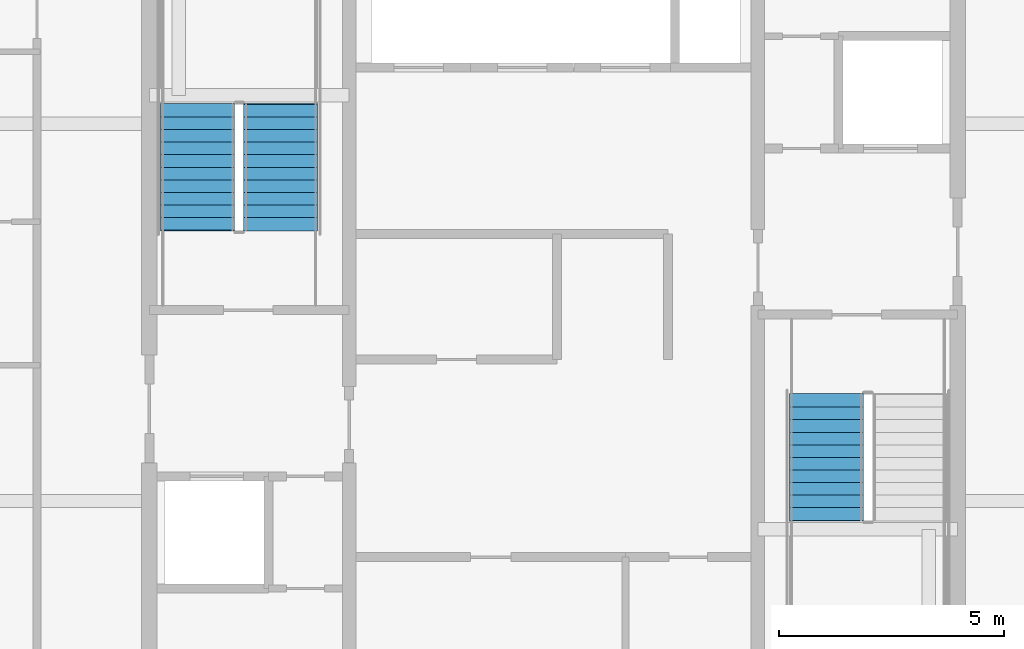
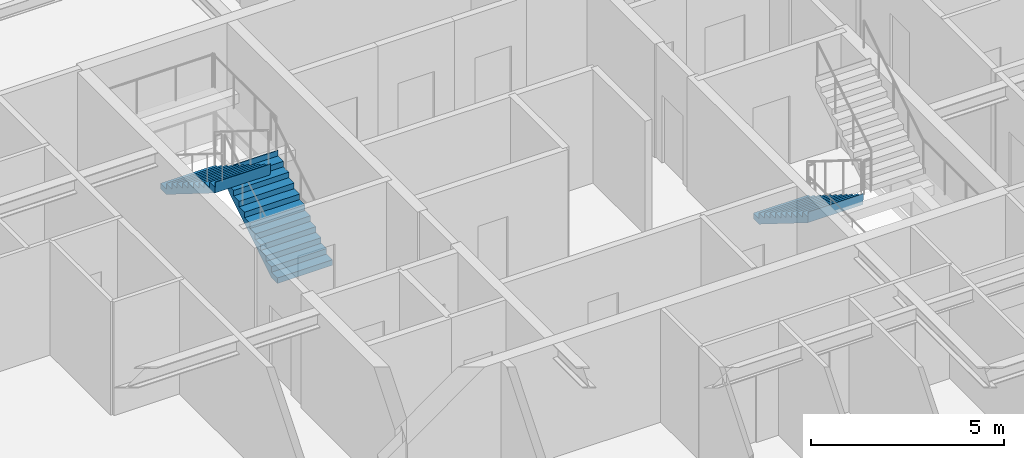
# One storey, part 33 of 40: 3 stair flights, 2 elements without a shape of their own.
"""IFC4 building model written with IfcOpenShell, lengths in metres."""

from ifc_helpers import new_model, si_unit, direction, frame, origin, place, context, subcontext, project, spatial, polygons, material, type_object, element, aggregate, save


model = new_model("IFC4")

# Units and contexts
model_context = context("Model", 3, precision=1e-05, world=origin(), true_north=direction((0.0, 1.0)))
body_context = subcontext(model_context, "Body", "Model", "MODEL_VIEW")
ifc_project = project(units=[si_unit("LENGTHUNIT", "METRE"), si_unit("AREAUNIT", "SQUARE_METRE"), si_unit("VOLUMEUNIT", "CUBIC_METRE"), si_unit("PLANEANGLEUNIT", "RADIAN"), si_unit("MASSUNIT", "GRAM", prefix="KILO")], contexts=[model_context])

# Site, building, storey
site_placement = place(None, origin())
site = spatial("IfcSite", under=ifc_project, at=site_placement, CompositionType="ELEMENT")
building_placement = place(site_placement, origin())
building = spatial("IfcBuilding", under=site, at=building_placement, Name="Serunith Strait Residences", CompositionType="ELEMENT")
storey_placement = place(building_placement, frame((0.0, 0.0, 252.800048828125)))
storey = spatial("IfcBuildingStorey", under=building, at=storey_placement, Name="L63", CompositionType="ELEMENT", Elevation=252.800048828125)

# Stair, stair flights
ifc_material = material(Name="Concrete C50/60", Category="concrete")
stair_type_1 = type_object("IfcStairType", Name="STR-CORE-1", PredefinedType="HALF_TURN_STAIR", material=ifc_material)
stair_1_placement = place(storey_placement, origin())
stair_1 = element("IfcStair", 1, at=stair_1_placement, inside=storey, type_object=stair_type_1, Name="L63 Protected Escape Stair ST-1", PredefinedType="HALF_TURN_STAIR")
stair_flight_type_1 = type_object("IfcStairFlightType", Name="FLT-CORE-1", PredefinedType="STRAIGHT", material=ifc_material)
stair_flight_1_placement = place(storey_placement, frame((26.324951171875, 27.030029296875, 0.0), z_axis=(0.0, 0.0, 1.0), x_axis=(0.0, 1.0, 0.0)))
stair_flight_1 = element("IfcStairFlight", 2, at=stair_flight_1_placement, type_object=stair_flight_type_1, Name="ST-1 flight 1", NumberOfRisers=11, NumberOfTreads=10, PredefinedType="STRAIGHT", RiserHeight=0.175, TreadLength=0.28, context=body_context, shape_type="Tessellation", body=[
    polygons([(-0.02001953125, -0.824951171875, 0.0), (-0.02001953125, -0.824951171875, 0.175048828125), (0.280029296875, -0.824951171875, 0.175048828125), (0.280029296875, -0.824951171875, 0.35009765625), (0.56005859375, -0.824951171875, 0.35009765625), (0.56005859375, -0.824951171875, 0.52490234375), (0.840087890625, -0.824951171875, 0.52490234375), (0.840087890625, -0.824951171875, 0.699951171875), (1.1201171875, -0.824951171875, 0.699951171875), (1.1201171875, -0.824951171875, 0.875), (1.39990234375, -0.824951171875, 0.875), (1.39990234375, -0.824951171875, 1.050048828125), (1.679931640625, -0.824951171875, 1.050048828125), (1.679931640625, -0.824951171875, 1.22509765625), (1.9599609375, -0.824951171875, 1.22509765625), (1.9599609375, -0.824951171875, 1.39990234375), (2.239990234375, -0.824951171875, 1.39990234375), (2.239990234375, -0.824951171875, 1.574951171875), (2.52001953125, -0.824951171875, 1.574951171875), (2.52001953125, -0.824951171875, 1.75), (2.800048828125, -0.824951171875, 1.75), (2.800048828125, -0.824951171875, 1.925048828125), (2.820068359375, -0.824951171875, 1.925048828125), (2.820068359375, -0.824951171875, 1.864990234375), (2.800048828125, -0.824951171875, 1.5732421875), (0.28271484375, -0.824951171875, 0.0), (-0.02001953125, -0.41259765625, 0.0), (-0.02001953125, -0.41259765625, 0.175048828125), (0.280029296875, -0.41259765625, 0.175048828125), (0.280029296875, -0.41259765625, 0.35009765625), (0.56005859375, -0.41259765625, 0.35009765625), (0.56005859375, -0.41259765625, 0.52490234375), (0.840087890625, -0.41259765625, 0.52490234375), (0.840087890625, -0.41259765625, 0.699951171875), (1.1201171875, -0.41259765625, 0.699951171875), (1.1201171875, -0.41259765625, 0.875), (1.39990234375, -0.41259765625, 0.875), (1.39990234375, -0.41259765625, 1.050048828125), (1.679931640625, -0.41259765625, 1.050048828125), (1.679931640625, -0.41259765625, 1.22509765625), (1.9599609375, -0.41259765625, 1.22509765625), (1.9599609375, -0.41259765625, 1.39990234375), (2.239990234375, -0.41259765625, 1.39990234375), (2.239990234375, -0.41259765625, 1.574951171875), (2.52001953125, -0.41259765625, 1.574951171875), (2.52001953125, -0.41259765625, 1.75), (2.800048828125, -0.41259765625, 1.75), (2.800048828125, -0.41259765625, 1.925048828125), (2.820068359375, -0.41259765625, 1.925048828125), (2.820068359375, -0.41259765625, 1.864990234375), (2.800048828125, -0.41259765625, 1.5732421875), (0.28271484375, -0.41259765625, 0.0), (-0.02001953125, 0.0, 0.0), (-0.02001953125, 0.0, 0.175048828125), (0.280029296875, 0.0, 0.175048828125), (0.280029296875, 0.0, 0.35009765625), (0.56005859375, 0.0, 0.35009765625), (0.56005859375, 0.0, 0.52490234375), (0.840087890625, 0.0, 0.52490234375), (0.840087890625, 0.0, 0.699951171875), (1.1201171875, 0.0, 0.699951171875), (1.1201171875, 0.0, 0.875), (1.39990234375, 0.0, 0.875), (1.39990234375, 0.0, 1.050048828125), (1.679931640625, 0.0, 1.050048828125), (1.679931640625, 0.0, 1.22509765625), (1.9599609375, 0.0, 1.22509765625), (1.9599609375, 0.0, 1.39990234375), (2.239990234375, 0.0, 1.39990234375), (2.239990234375, 0.0, 1.574951171875), (2.52001953125, 0.0, 1.574951171875), (2.52001953125, 0.0, 1.75), (2.800048828125, 0.0, 1.75), (2.800048828125, 0.0, 1.925048828125), (2.820068359375, 0.0, 1.925048828125), (2.820068359375, 0.0, 1.864990234375), (2.800048828125, 0.0, 1.5732421875), (0.28271484375, 0.0, 0.0), (-0.02001953125, 0.41259765625, 0.0), (-0.02001953125, 0.41259765625, 0.175048828125), (0.280029296875, 0.41259765625, 0.175048828125), (0.280029296875, 0.41259765625, 0.35009765625), (0.56005859375, 0.41259765625, 0.35009765625), (0.56005859375, 0.41259765625, 0.52490234375), (0.840087890625, 0.41259765625, 0.52490234375), (0.840087890625, 0.41259765625, 0.699951171875), (1.1201171875, 0.41259765625, 0.699951171875), (1.1201171875, 0.41259765625, 0.875), (1.39990234375, 0.41259765625, 0.875), (1.39990234375, 0.41259765625, 1.050048828125), (1.679931640625, 0.41259765625, 1.050048828125), (1.679931640625, 0.41259765625, 1.22509765625), (1.9599609375, 0.41259765625, 1.22509765625), (1.9599609375, 0.41259765625, 1.39990234375), (2.239990234375, 0.41259765625, 1.39990234375), (2.239990234375, 0.41259765625, 1.574951171875), (2.52001953125, 0.41259765625, 1.574951171875), (2.52001953125, 0.41259765625, 1.75), (2.800048828125, 0.41259765625, 1.75), (2.800048828125, 0.41259765625, 1.925048828125), (2.820068359375, 0.41259765625, 1.925048828125), (2.820068359375, 0.41259765625, 1.864990234375), (2.800048828125, 0.41259765625, 1.5732421875), (0.28271484375, 0.41259765625, 0.0), (-0.02001953125, 0.824951171875, 0.0), (-0.02001953125, 0.824951171875, 0.175048828125), (0.280029296875, 0.824951171875, 0.175048828125), (0.280029296875, 0.824951171875, 0.35009765625), (0.56005859375, 0.824951171875, 0.35009765625), (0.56005859375, 0.824951171875, 0.52490234375), (0.840087890625, 0.824951171875, 0.52490234375), (0.840087890625, 0.824951171875, 0.699951171875), (1.1201171875, 0.824951171875, 0.699951171875), (1.1201171875, 0.824951171875, 0.875), (1.39990234375, 0.824951171875, 0.875), (1.39990234375, 0.824951171875, 1.050048828125), (1.679931640625, 0.824951171875, 1.050048828125), (1.679931640625, 0.824951171875, 1.22509765625), (1.9599609375, 0.824951171875, 1.22509765625), (1.9599609375, 0.824951171875, 1.39990234375), (2.239990234375, 0.824951171875, 1.39990234375), (2.239990234375, 0.824951171875, 1.574951171875), (2.52001953125, 0.824951171875, 1.574951171875), (2.52001953125, 0.824951171875, 1.75), (2.800048828125, 0.824951171875, 1.75), (2.800048828125, 0.824951171875, 1.925048828125), (2.820068359375, 0.824951171875, 1.925048828125), (2.820068359375, 0.824951171875, 1.864990234375), (2.800048828125, 0.824951171875, 1.5732421875), (0.28271484375, 0.824951171875, 0.0)], [[[1, 2, 28, 27]], [[2, 3, 29, 28]], [[3, 4, 30, 29]], [[4, 5, 31, 30]], [[5, 6, 32, 31]], [[6, 7, 33, 32]], [[7, 8, 34, 33]], [[8, 9, 35, 34]], [[9, 10, 36, 35]], [[10, 11, 37, 36]], [[11, 12, 38, 37]], [[12, 13, 39, 38]], [[13, 14, 40, 39]], [[14, 15, 41, 40]], [[15, 16, 42, 41]], [[16, 17, 43, 42]], [[17, 18, 44, 43]], [[18, 19, 45, 44]], [[19, 20, 46, 45]], [[20, 21, 47, 46]], [[21, 22, 48, 47]], [[22, 23, 49, 48]], [[23, 24, 50, 49]], [[24, 25, 51, 50]], [[25, 26, 52, 51]], [[26, 1, 27, 52]], [[27, 28, 54, 53]], [[28, 29, 55, 54]], [[29, 30, 56, 55]], [[30, 31, 57, 56]], [[31, 32, 58, 57]], [[32, 33, 59, 58]], [[33, 34, 60, 59]], [[34, 35, 61, 60]], [[35, 36, 62, 61]], [[36, 37, 63, 62]], [[37, 38, 64, 63]], [[38, 39, 65, 64]], [[39, 40, 66, 65]], [[40, 41, 67, 66]], [[41, 42, 68, 67]], [[42, 43, 69, 68]], [[43, 44, 70, 69]], [[44, 45, 71, 70]], [[45, 46, 72, 71]], [[46, 47, 73, 72]], [[47, 48, 74, 73]], [[48, 49, 75, 74]], [[49, 50, 76, 75]], [[50, 51, 77, 76]], [[51, 52, 78, 77]], [[52, 27, 53, 78]], [[53, 54, 80, 79]], [[54, 55, 81, 80]], [[55, 56, 82, 81]], [[56, 57, 83, 82]], [[57, 58, 84, 83]], [[58, 59, 85, 84]], [[59, 60, 86, 85]], [[60, 61, 87, 86]], [[61, 62, 88, 87]], [[62, 63, 89, 88]], [[63, 64, 90, 89]], [[64, 65, 91, 90]], [[65, 66, 92, 91]], [[66, 67, 93, 92]], [[67, 68, 94, 93]], [[68, 69, 95, 94]], [[69, 70, 96, 95]], [[70, 71, 97, 96]], [[71, 72, 98, 97]], [[72, 73, 99, 98]], [[73, 74, 100, 99]], [[74, 75, 101, 100]], [[75, 76, 102, 101]], [[76, 77, 103, 102]], [[77, 78, 104, 103]], [[78, 53, 79, 104]], [[79, 80, 106, 105]], [[80, 81, 107, 106]], [[81, 82, 108, 107]], [[82, 83, 109, 108]], [[83, 84, 110, 109]], [[84, 85, 111, 110]], [[85, 86, 112, 111]], [[86, 87, 113, 112]], [[87, 88, 114, 113]], [[88, 89, 115, 114]], [[89, 90, 116, 115]], [[90, 91, 117, 116]], [[91, 92, 118, 117]], [[92, 93, 119, 118]], [[93, 94, 120, 119]], [[94, 95, 121, 120]], [[95, 96, 122, 121]], [[96, 97, 123, 122]], [[97, 98, 124, 123]], [[98, 99, 125, 124]], [[99, 100, 126, 125]], [[100, 101, 127, 126]], [[101, 102, 128, 127]], [[102, 103, 129, 128]], [[103, 104, 130, 129]], [[104, 79, 105, 130]], [[26, 25, 24, 23, 22, 21, 20, 19, 18, 17, 16, 15, 14, 13, 12, 11, 10, 9, 8, 7, 6, 5, 4, 3, 2, 1]], [[105, 106, 107, 108, 109, 110, 111, 112, 113, 114, 115, 116, 117, 118, 119, 120, 121, 122, 123, 124, 125, 126, 127, 128, 129, 130]]], closed=True),
])
stair_flight_2_placement = place(storey_placement, frame((24.47509765625, 29.830078125, 1.925048828125), z_axis=(0.0, 0.0, 1.0), x_axis=(0.0, -1.0, 0.0)))
stair_flight_2 = element("IfcStairFlight", 3, at=stair_flight_2_placement, type_object=stair_flight_type_1, Name="ST-1 flight 2", NumberOfRisers=11, NumberOfTreads=10, PredefinedType="STRAIGHT", RiserHeight=0.175, TreadLength=0.28, context=body_context, shape_type="Tessellation", body=[
    polygons([(-0.02001953125, -0.824951171875, 0.0), (-0.02001953125, -0.824951171875, 0.175048828125), (0.280029296875, -0.824951171875, 0.175048828125), (0.280029296875, -0.824951171875, 0.35009765625), (0.56005859375, -0.824951171875, 0.35009765625), (0.56005859375, -0.824951171875, 0.52490234375), (0.840087890625, -0.824951171875, 0.52490234375), (0.840087890625, -0.824951171875, 0.699951171875), (1.1201171875, -0.824951171875, 0.699951171875), (1.1201171875, -0.824951171875, 0.875), (1.39990234375, -0.824951171875, 0.875), (1.39990234375, -0.824951171875, 1.050048828125), (1.679931640625, -0.824951171875, 1.050048828125), (1.679931640625, -0.824951171875, 1.22509765625), (1.9599609375, -0.824951171875, 1.22509765625), (1.9599609375, -0.824951171875, 1.39990234375), (2.239990234375, -0.824951171875, 1.39990234375), (2.239990234375, -0.824951171875, 1.574951171875), (2.52001953125, -0.824951171875, 1.574951171875), (2.52001953125, -0.824951171875, 1.75), (2.800048828125, -0.824951171875, 1.75), (2.800048828125, -0.824951171875, 1.925048828125), (2.820068359375, -0.824951171875, 1.925048828125), (2.820068359375, -0.824951171875, 1.864990234375), (2.800048828125, -0.824951171875, 1.5732421875), (0.28271484375, -0.824951171875, 0.0), (-0.02001953125, -0.41259765625, 0.0), (-0.02001953125, -0.41259765625, 0.175048828125), (0.280029296875, -0.41259765625, 0.175048828125), (0.280029296875, -0.41259765625, 0.35009765625), (0.56005859375, -0.41259765625, 0.35009765625), (0.56005859375, -0.41259765625, 0.52490234375), (0.840087890625, -0.41259765625, 0.52490234375), (0.840087890625, -0.41259765625, 0.699951171875), (1.1201171875, -0.41259765625, 0.699951171875), (1.1201171875, -0.41259765625, 0.875), (1.39990234375, -0.41259765625, 0.875), (1.39990234375, -0.41259765625, 1.050048828125), (1.679931640625, -0.41259765625, 1.050048828125), (1.679931640625, -0.41259765625, 1.22509765625), (1.9599609375, -0.41259765625, 1.22509765625), (1.9599609375, -0.41259765625, 1.39990234375), (2.239990234375, -0.41259765625, 1.39990234375), (2.239990234375, -0.41259765625, 1.574951171875), (2.52001953125, -0.41259765625, 1.574951171875), (2.52001953125, -0.41259765625, 1.75), (2.800048828125, -0.41259765625, 1.75), (2.800048828125, -0.41259765625, 1.925048828125), (2.820068359375, -0.41259765625, 1.925048828125), (2.820068359375, -0.41259765625, 1.864990234375), (2.800048828125, -0.41259765625, 1.5732421875), (0.28271484375, -0.41259765625, 0.0), (-0.02001953125, 0.0, 0.0), (-0.02001953125, 0.0, 0.175048828125), (0.280029296875, 0.0, 0.175048828125), (0.280029296875, 0.0, 0.35009765625), (0.56005859375, 0.0, 0.35009765625), (0.56005859375, 0.0, 0.52490234375), (0.840087890625, 0.0, 0.52490234375), (0.840087890625, 0.0, 0.699951171875), (1.1201171875, 0.0, 0.699951171875), (1.1201171875, 0.0, 0.875), (1.39990234375, 0.0, 0.875), (1.39990234375, 0.0, 1.050048828125), (1.679931640625, 0.0, 1.050048828125), (1.679931640625, 0.0, 1.22509765625), (1.9599609375, 0.0, 1.22509765625), (1.9599609375, 0.0, 1.39990234375), (2.239990234375, 0.0, 1.39990234375), (2.239990234375, 0.0, 1.574951171875), (2.52001953125, 0.0, 1.574951171875), (2.52001953125, 0.0, 1.75), (2.800048828125, 0.0, 1.75), (2.800048828125, 0.0, 1.925048828125), (2.820068359375, 0.0, 1.925048828125), (2.820068359375, 0.0, 1.864990234375), (2.800048828125, 0.0, 1.5732421875), (0.28271484375, 0.0, 0.0), (-0.02001953125, 0.41259765625, 0.0), (-0.02001953125, 0.41259765625, 0.175048828125), (0.280029296875, 0.41259765625, 0.175048828125), (0.280029296875, 0.41259765625, 0.35009765625), (0.56005859375, 0.41259765625, 0.35009765625), (0.56005859375, 0.41259765625, 0.52490234375), (0.840087890625, 0.41259765625, 0.52490234375), (0.840087890625, 0.41259765625, 0.699951171875), (1.1201171875, 0.41259765625, 0.699951171875), (1.1201171875, 0.41259765625, 0.875), (1.39990234375, 0.41259765625, 0.875), (1.39990234375, 0.41259765625, 1.050048828125), (1.679931640625, 0.41259765625, 1.050048828125), (1.679931640625, 0.41259765625, 1.22509765625), (1.9599609375, 0.41259765625, 1.22509765625), (1.9599609375, 0.41259765625, 1.39990234375), (2.239990234375, 0.41259765625, 1.39990234375), (2.239990234375, 0.41259765625, 1.574951171875), (2.52001953125, 0.41259765625, 1.574951171875), (2.52001953125, 0.41259765625, 1.75), (2.800048828125, 0.41259765625, 1.75), (2.800048828125, 0.41259765625, 1.925048828125), (2.820068359375, 0.41259765625, 1.925048828125), (2.820068359375, 0.41259765625, 1.864990234375), (2.800048828125, 0.41259765625, 1.5732421875), (0.28271484375, 0.41259765625, 0.0), (-0.02001953125, 0.824951171875, 0.0), (-0.02001953125, 0.824951171875, 0.175048828125), (0.280029296875, 0.824951171875, 0.175048828125), (0.280029296875, 0.824951171875, 0.35009765625), (0.56005859375, 0.824951171875, 0.35009765625), (0.56005859375, 0.824951171875, 0.52490234375), (0.840087890625, 0.824951171875, 0.52490234375), (0.840087890625, 0.824951171875, 0.699951171875), (1.1201171875, 0.824951171875, 0.699951171875), (1.1201171875, 0.824951171875, 0.875), (1.39990234375, 0.824951171875, 0.875), (1.39990234375, 0.824951171875, 1.050048828125), (1.679931640625, 0.824951171875, 1.050048828125), (1.679931640625, 0.824951171875, 1.22509765625), (1.9599609375, 0.824951171875, 1.22509765625), (1.9599609375, 0.824951171875, 1.39990234375), (2.239990234375, 0.824951171875, 1.39990234375), (2.239990234375, 0.824951171875, 1.574951171875), (2.52001953125, 0.824951171875, 1.574951171875), (2.52001953125, 0.824951171875, 1.75), (2.800048828125, 0.824951171875, 1.75), (2.800048828125, 0.824951171875, 1.925048828125), (2.820068359375, 0.824951171875, 1.925048828125), (2.820068359375, 0.824951171875, 1.864990234375), (2.800048828125, 0.824951171875, 1.5732421875), (0.28271484375, 0.824951171875, 0.0)], [[[1, 2, 28, 27]], [[2, 3, 29, 28]], [[3, 4, 30, 29]], [[4, 5, 31, 30]], [[5, 6, 32, 31]], [[6, 7, 33, 32]], [[7, 8, 34, 33]], [[8, 9, 35, 34]], [[9, 10, 36, 35]], [[10, 11, 37, 36]], [[11, 12, 38, 37]], [[12, 13, 39, 38]], [[13, 14, 40, 39]], [[14, 15, 41, 40]], [[15, 16, 42, 41]], [[16, 17, 43, 42]], [[17, 18, 44, 43]], [[18, 19, 45, 44]], [[19, 20, 46, 45]], [[20, 21, 47, 46]], [[21, 22, 48, 47]], [[22, 23, 49, 48]], [[23, 24, 50, 49]], [[24, 25, 51, 50]], [[25, 26, 52, 51]], [[26, 1, 27, 52]], [[27, 28, 54, 53]], [[28, 29, 55, 54]], [[29, 30, 56, 55]], [[30, 31, 57, 56]], [[31, 32, 58, 57]], [[32, 33, 59, 58]], [[33, 34, 60, 59]], [[34, 35, 61, 60]], [[35, 36, 62, 61]], [[36, 37, 63, 62]], [[37, 38, 64, 63]], [[38, 39, 65, 64]], [[39, 40, 66, 65]], [[40, 41, 67, 66]], [[41, 42, 68, 67]], [[42, 43, 69, 68]], [[43, 44, 70, 69]], [[44, 45, 71, 70]], [[45, 46, 72, 71]], [[46, 47, 73, 72]], [[47, 48, 74, 73]], [[48, 49, 75, 74]], [[49, 50, 76, 75]], [[50, 51, 77, 76]], [[51, 52, 78, 77]], [[52, 27, 53, 78]], [[53, 54, 80, 79]], [[54, 55, 81, 80]], [[55, 56, 82, 81]], [[56, 57, 83, 82]], [[57, 58, 84, 83]], [[58, 59, 85, 84]], [[59, 60, 86, 85]], [[60, 61, 87, 86]], [[61, 62, 88, 87]], [[62, 63, 89, 88]], [[63, 64, 90, 89]], [[64, 65, 91, 90]], [[65, 66, 92, 91]], [[66, 67, 93, 92]], [[67, 68, 94, 93]], [[68, 69, 95, 94]], [[69, 70, 96, 95]], [[70, 71, 97, 96]], [[71, 72, 98, 97]], [[72, 73, 99, 98]], [[73, 74, 100, 99]], [[74, 75, 101, 100]], [[75, 76, 102, 101]], [[76, 77, 103, 102]], [[77, 78, 104, 103]], [[78, 53, 79, 104]], [[79, 80, 106, 105]], [[80, 81, 107, 106]], [[81, 82, 108, 107]], [[82, 83, 109, 108]], [[83, 84, 110, 109]], [[84, 85, 111, 110]], [[85, 86, 112, 111]], [[86, 87, 113, 112]], [[87, 88, 114, 113]], [[88, 89, 115, 114]], [[89, 90, 116, 115]], [[90, 91, 117, 116]], [[91, 92, 118, 117]], [[92, 93, 119, 118]], [[93, 94, 120, 119]], [[94, 95, 121, 120]], [[95, 96, 122, 121]], [[96, 97, 123, 122]], [[97, 98, 124, 123]], [[98, 99, 125, 124]], [[99, 100, 126, 125]], [[100, 101, 127, 126]], [[101, 102, 128, 127]], [[102, 103, 129, 128]], [[103, 104, 130, 129]], [[104, 79, 105, 130]], [[26, 25, 24, 23, 22, 21, 20, 19, 18, 17, 16, 15, 14, 13, 12, 11, 10, 9, 8, 7, 6, 5, 4, 3, 2, 1]], [[105, 106, 107, 108, 109, 110, 111, 112, 113, 114, 115, 116, 117, 118, 119, 120, 121, 122, 123, 124, 125, 126, 127, 128, 129, 130]]], closed=True),
])
aggregate(stair_1, [stair_flight_1, stair_flight_2])

# Stair, stair flight
stair_type_2 = type_object("IfcStairType", Name="STR-CORE-2", PredefinedType="HALF_TURN_STAIR", material=ifc_material)
stair_2_placement = place(storey_placement, origin())
stair_2 = element("IfcStair", 4, at=stair_2_placement, inside=storey, type_object=stair_type_2, Name="L63 Protected Escape Stair ST-2", PredefinedType="HALF_TURN_STAIR")
stair_flight_type_2 = type_object("IfcStairFlightType", Name="FLT-CORE-2", PredefinedType="STRAIGHT", material=ifc_material)
stair_flight_3_placement = place(storey_placement, frame((38.47509765625, 23.3701171875, 0.0), z_axis=(0.0, 0.0, 1.0), x_axis=(0.0, -1.0, 0.0)))
stair_flight_3 = element("IfcStairFlight", 5, at=stair_flight_3_placement, type_object=stair_flight_type_2, Name="ST-2 flight 1", NumberOfRisers=11, NumberOfTreads=10, PredefinedType="STRAIGHT", RiserHeight=0.175, TreadLength=0.28, context=body_context, shape_type="Tessellation", body=[
    polygons([(-0.02001953125, -0.824951171875, 0.0), (-0.02001953125, -0.824951171875, 0.175048828125), (0.280029296875, -0.824951171875, 0.175048828125), (0.280029296875, -0.824951171875, 0.35009765625), (0.56005859375, -0.824951171875, 0.35009765625), (0.56005859375, -0.824951171875, 0.52490234375), (0.840087890625, -0.824951171875, 0.52490234375), (0.840087890625, -0.824951171875, 0.699951171875), (1.1201171875, -0.824951171875, 0.699951171875), (1.1201171875, -0.824951171875, 0.875), (1.39990234375, -0.824951171875, 0.875), (1.39990234375, -0.824951171875, 1.050048828125), (1.679931640625, -0.824951171875, 1.050048828125), (1.679931640625, -0.824951171875, 1.22509765625), (1.9599609375, -0.824951171875, 1.22509765625), (1.9599609375, -0.824951171875, 1.39990234375), (2.239990234375, -0.824951171875, 1.39990234375), (2.239990234375, -0.824951171875, 1.574951171875), (2.52001953125, -0.824951171875, 1.574951171875), (2.52001953125, -0.824951171875, 1.75), (2.800048828125, -0.824951171875, 1.75), (2.800048828125, -0.824951171875, 1.925048828125), (2.820068359375, -0.824951171875, 1.925048828125), (2.820068359375, -0.824951171875, 1.864990234375), (2.800048828125, -0.824951171875, 1.5732421875), (0.28271484375, -0.824951171875, 0.0), (-0.02001953125, -0.41259765625, 0.0), (-0.02001953125, -0.41259765625, 0.175048828125), (0.280029296875, -0.41259765625, 0.175048828125), (0.280029296875, -0.41259765625, 0.35009765625), (0.56005859375, -0.41259765625, 0.35009765625), (0.56005859375, -0.41259765625, 0.52490234375), (0.840087890625, -0.41259765625, 0.52490234375), (0.840087890625, -0.41259765625, 0.699951171875), (1.1201171875, -0.41259765625, 0.699951171875), (1.1201171875, -0.41259765625, 0.875), (1.39990234375, -0.41259765625, 0.875), (1.39990234375, -0.41259765625, 1.050048828125), (1.679931640625, -0.41259765625, 1.050048828125), (1.679931640625, -0.41259765625, 1.22509765625), (1.9599609375, -0.41259765625, 1.22509765625), (1.9599609375, -0.41259765625, 1.39990234375), (2.239990234375, -0.41259765625, 1.39990234375), (2.239990234375, -0.41259765625, 1.574951171875), (2.52001953125, -0.41259765625, 1.574951171875), (2.52001953125, -0.41259765625, 1.75), (2.800048828125, -0.41259765625, 1.75), (2.800048828125, -0.41259765625, 1.925048828125), (2.820068359375, -0.41259765625, 1.925048828125), (2.820068359375, -0.41259765625, 1.864990234375), (2.800048828125, -0.41259765625, 1.5732421875), (0.28271484375, -0.41259765625, 0.0), (-0.02001953125, 0.0, 0.0), (-0.02001953125, 0.0, 0.175048828125), (0.280029296875, 0.0, 0.175048828125), (0.280029296875, 0.0, 0.35009765625), (0.56005859375, 0.0, 0.35009765625), (0.56005859375, 0.0, 0.52490234375), (0.840087890625, 0.0, 0.52490234375), (0.840087890625, 0.0, 0.699951171875), (1.1201171875, 0.0, 0.699951171875), (1.1201171875, 0.0, 0.875), (1.39990234375, 0.0, 0.875), (1.39990234375, 0.0, 1.050048828125), (1.679931640625, 0.0, 1.050048828125), (1.679931640625, 0.0, 1.22509765625), (1.9599609375, 0.0, 1.22509765625), (1.9599609375, 0.0, 1.39990234375), (2.239990234375, 0.0, 1.39990234375), (2.239990234375, 0.0, 1.574951171875), (2.52001953125, 0.0, 1.574951171875), (2.52001953125, 0.0, 1.75), (2.800048828125, 0.0, 1.75), (2.800048828125, 0.0, 1.925048828125), (2.820068359375, 0.0, 1.925048828125), (2.820068359375, 0.0, 1.864990234375), (2.800048828125, 0.0, 1.5732421875), (0.28271484375, 0.0, 0.0), (-0.02001953125, 0.41259765625, 0.0), (-0.02001953125, 0.41259765625, 0.175048828125), (0.280029296875, 0.41259765625, 0.175048828125), (0.280029296875, 0.41259765625, 0.35009765625), (0.56005859375, 0.41259765625, 0.35009765625), (0.56005859375, 0.41259765625, 0.52490234375), (0.840087890625, 0.41259765625, 0.52490234375), (0.840087890625, 0.41259765625, 0.699951171875), (1.1201171875, 0.41259765625, 0.699951171875), (1.1201171875, 0.41259765625, 0.875), (1.39990234375, 0.41259765625, 0.875), (1.39990234375, 0.41259765625, 1.050048828125), (1.679931640625, 0.41259765625, 1.050048828125), (1.679931640625, 0.41259765625, 1.22509765625), (1.9599609375, 0.41259765625, 1.22509765625), (1.9599609375, 0.41259765625, 1.39990234375), (2.239990234375, 0.41259765625, 1.39990234375), (2.239990234375, 0.41259765625, 1.574951171875), (2.52001953125, 0.41259765625, 1.574951171875), (2.52001953125, 0.41259765625, 1.75), (2.800048828125, 0.41259765625, 1.75), (2.800048828125, 0.41259765625, 1.925048828125), (2.820068359375, 0.41259765625, 1.925048828125), (2.820068359375, 0.41259765625, 1.864990234375), (2.800048828125, 0.41259765625, 1.5732421875), (0.28271484375, 0.41259765625, 0.0), (-0.02001953125, 0.824951171875, 0.0), (-0.02001953125, 0.824951171875, 0.175048828125), (0.280029296875, 0.824951171875, 0.175048828125), (0.280029296875, 0.824951171875, 0.35009765625), (0.56005859375, 0.824951171875, 0.35009765625), (0.56005859375, 0.824951171875, 0.52490234375), (0.840087890625, 0.824951171875, 0.52490234375), (0.840087890625, 0.824951171875, 0.699951171875), (1.1201171875, 0.824951171875, 0.699951171875), (1.1201171875, 0.824951171875, 0.875), (1.39990234375, 0.824951171875, 0.875), (1.39990234375, 0.824951171875, 1.050048828125), (1.679931640625, 0.824951171875, 1.050048828125), (1.679931640625, 0.824951171875, 1.22509765625), (1.9599609375, 0.824951171875, 1.22509765625), (1.9599609375, 0.824951171875, 1.39990234375), (2.239990234375, 0.824951171875, 1.39990234375), (2.239990234375, 0.824951171875, 1.574951171875), (2.52001953125, 0.824951171875, 1.574951171875), (2.52001953125, 0.824951171875, 1.75), (2.800048828125, 0.824951171875, 1.75), (2.800048828125, 0.824951171875, 1.925048828125), (2.820068359375, 0.824951171875, 1.925048828125), (2.820068359375, 0.824951171875, 1.864990234375), (2.800048828125, 0.824951171875, 1.5732421875), (0.28271484375, 0.824951171875, 0.0)], [[[1, 2, 28, 27]], [[2, 3, 29, 28]], [[3, 4, 30, 29]], [[4, 5, 31, 30]], [[5, 6, 32, 31]], [[6, 7, 33, 32]], [[7, 8, 34, 33]], [[8, 9, 35, 34]], [[9, 10, 36, 35]], [[10, 11, 37, 36]], [[11, 12, 38, 37]], [[12, 13, 39, 38]], [[13, 14, 40, 39]], [[14, 15, 41, 40]], [[15, 16, 42, 41]], [[16, 17, 43, 42]], [[17, 18, 44, 43]], [[18, 19, 45, 44]], [[19, 20, 46, 45]], [[20, 21, 47, 46]], [[21, 22, 48, 47]], [[22, 23, 49, 48]], [[23, 24, 50, 49]], [[24, 25, 51, 50]], [[25, 26, 52, 51]], [[26, 1, 27, 52]], [[27, 28, 54, 53]], [[28, 29, 55, 54]], [[29, 30, 56, 55]], [[30, 31, 57, 56]], [[31, 32, 58, 57]], [[32, 33, 59, 58]], [[33, 34, 60, 59]], [[34, 35, 61, 60]], [[35, 36, 62, 61]], [[36, 37, 63, 62]], [[37, 38, 64, 63]], [[38, 39, 65, 64]], [[39, 40, 66, 65]], [[40, 41, 67, 66]], [[41, 42, 68, 67]], [[42, 43, 69, 68]], [[43, 44, 70, 69]], [[44, 45, 71, 70]], [[45, 46, 72, 71]], [[46, 47, 73, 72]], [[47, 48, 74, 73]], [[48, 49, 75, 74]], [[49, 50, 76, 75]], [[50, 51, 77, 76]], [[51, 52, 78, 77]], [[52, 27, 53, 78]], [[53, 54, 80, 79]], [[54, 55, 81, 80]], [[55, 56, 82, 81]], [[56, 57, 83, 82]], [[57, 58, 84, 83]], [[58, 59, 85, 84]], [[59, 60, 86, 85]], [[60, 61, 87, 86]], [[61, 62, 88, 87]], [[62, 63, 89, 88]], [[63, 64, 90, 89]], [[64, 65, 91, 90]], [[65, 66, 92, 91]], [[66, 67, 93, 92]], [[67, 68, 94, 93]], [[68, 69, 95, 94]], [[69, 70, 96, 95]], [[70, 71, 97, 96]], [[71, 72, 98, 97]], [[72, 73, 99, 98]], [[73, 74, 100, 99]], [[74, 75, 101, 100]], [[75, 76, 102, 101]], [[76, 77, 103, 102]], [[77, 78, 104, 103]], [[78, 53, 79, 104]], [[79, 80, 106, 105]], [[80, 81, 107, 106]], [[81, 82, 108, 107]], [[82, 83, 109, 108]], [[83, 84, 110, 109]], [[84, 85, 111, 110]], [[85, 86, 112, 111]], [[86, 87, 113, 112]], [[87, 88, 114, 113]], [[88, 89, 115, 114]], [[89, 90, 116, 115]], [[90, 91, 117, 116]], [[91, 92, 118, 117]], [[92, 93, 119, 118]], [[93, 94, 120, 119]], [[94, 95, 121, 120]], [[95, 96, 122, 121]], [[96, 97, 123, 122]], [[97, 98, 124, 123]], [[98, 99, 125, 124]], [[99, 100, 126, 125]], [[100, 101, 127, 126]], [[101, 102, 128, 127]], [[102, 103, 129, 128]], [[103, 104, 130, 129]], [[104, 79, 105, 130]], [[26, 25, 24, 23, 22, 21, 20, 19, 18, 17, 16, 15, 14, 13, 12, 11, 10, 9, 8, 7, 6, 5, 4, 3, 2, 1]], [[105, 106, 107, 108, 109, 110, 111, 112, 113, 114, 115, 116, 117, 118, 119, 120, 121, 122, 123, 124, 125, 126, 127, 128, 129, 130]]], closed=True),
])
aggregate(stair_2, [stair_flight_3])

save(model, "model.ifc")
